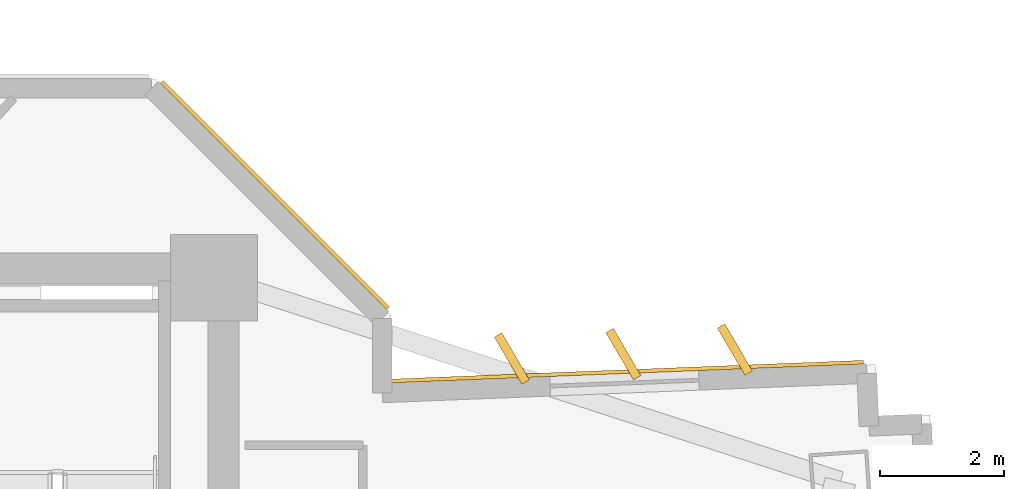
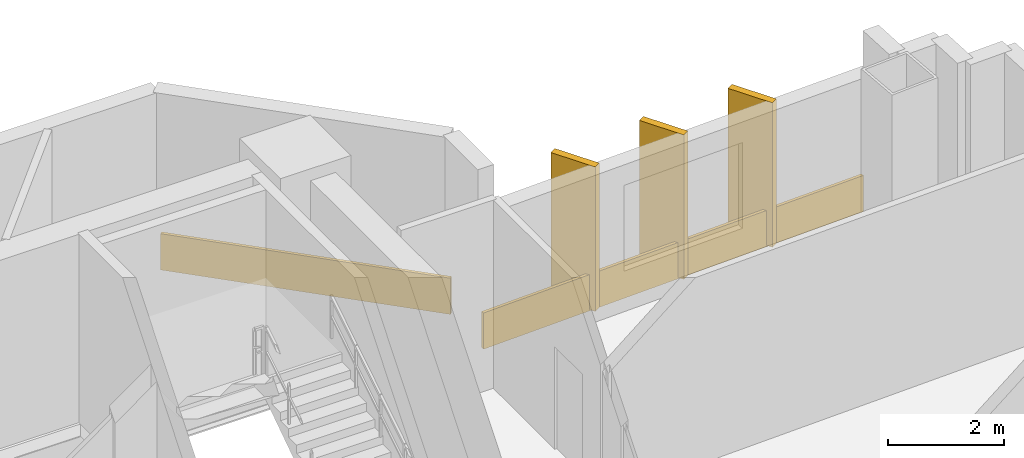
# One storey, part 16 of 16: 5 coverings.
"""IFC4 building model written with IfcOpenShell, lengths in metres."""

from ifc_helpers import new_model, si_unit, direction, frame, origin, origin_2d, place, context, subcontext, project, spatial, rectangle, extrude, source, transform, mapped, material, layer, layer_set, type_object, element, save


model = new_model("IFC4")

# Units and contexts
model_context = context("Model", 3, precision=1e-05, world=origin(), true_north=direction((0.0, 1.0)))
body_context = subcontext(model_context, "Body", "Model", "MODEL_VIEW")
ifc_project = project(units=[si_unit("LENGTHUNIT", "METRE"), si_unit("AREAUNIT", "SQUARE_METRE"), si_unit("VOLUMEUNIT", "CUBIC_METRE"), si_unit("PLANEANGLEUNIT", "RADIAN"), si_unit("MASSUNIT", "GRAM", prefix="KILO")], contexts=[model_context])

# Site, building, storey
site_placement = place(None, origin())
site = spatial("IfcSite", under=ifc_project, at=site_placement, CompositionType="ELEMENT")
building_placement = place(site_placement, origin())
building = spatial("IfcBuilding", under=site, at=building_placement, Name="Zahravan Cultural Tower", CompositionType="ELEMENT")
storey_placement = place(building_placement, frame((0.0, 0.0, 62.699951171875)))
storey = spatial("IfcBuildingStorey", under=building, at=storey_placement, Name="L13", CompositionType="ELEMENT", Elevation=62.699951171875)

# Coverings
ifc_material = material(Name="Terracotta ceramic cladding", Category="masonry")
ifc_layer = layer(ifc_material, 0.06005859375)
ifc_layer_set = layer_set([ifc_layer], Name="Terracotta ceramic cladding")
covering_type = type_object("IfcCoveringType", Name="COV-CLAD-TC60", PredefinedType="CLADDING", material=ifc_layer_set)
shared_shape_1 = source(origin(), body_context, "Body", "SweptSolid", [
    extrude(rectangle(XDim=5.157958984375, YDim=0.06005859375, at=origin_2d()), origin(), (0.0, 0.0, 1.0), 0.760009765625),
])
covering_1_placement = place(storey_placement, frame((51.331787109375, 37.53173828125, 0.02001953125), z_axis=(0.0, 0.0, 1.0), x_axis=(0.707106781187, -0.707106781187, 0.0)))
element("IfcCovering", 1, at=covering_1_placement, inside=storey, type_object=covering_type, Name="L13 Terracotta Spandrel Cladding 53", PredefinedType="CLADDING", context=body_context, shape_type="MappedRepresentation", body=[
    mapped(shared_shape_1, transform((0.0, 0.0, 0.0), x_axis=(1.0, 0.0, 0.0), y_axis=(0.0, 1.0, 0.0), z_axis=(0.0, 0.0, 1.0), scale=1.0)),
])
shared_shape_2 = source(origin(), body_context, "Body", "SweptSolid", [
    extrude(rectangle(XDim=0.8798828125, YDim=0.139892578125, at=origin_2d()), origin(), (0.0, 0.0, 1.0), 3.030029296875),
])
for number, where, z_axis, x_axis, name in (
    (2, (55.150390625, 34.898193359375, 0.0498046875), (0.0, 0.0, 1.0), (-0.504226211181, 0.863571611366, 0.0), "L13 Herringbone Terracotta Fin 01"),
    (3, (56.948974609375, 34.9697265625, 0.0498046875), (0.0, 0.0, 1.0), (-0.504226211181, 0.863571611366, 0.0), "L13 Herringbone Terracotta Fin 02"),
    (4, (58.747314453125, 35.041259765625, 0.0498046875), (0.0, 0.0, 1.0), (-0.504226211181, 0.863571611366, 0.0), "L13 Herringbone Terracotta Fin 03"),
):
    element("IfcCovering", number, at=place(storey_placement, frame(where, z_axis=z_axis, x_axis=x_axis)), inside=storey, type_object=covering_type, Name=name, PredefinedType="CLADDING", context=body_context, shape_type="MappedRepresentation", body=[
        mapped(shared_shape_2, transform((0.0, 0.0, 0.0), x_axis=(1.0, 0.0, 0.0), y_axis=(0.0, 1.0, 0.0), z_axis=(0.0, 0.0, 1.0), scale=1.0)),
    ])
shared_shape_3 = source(origin(), body_context, "Body", "SweptSolid", [
    extrude(rectangle(XDim=7.72119140625, YDim=0.06005859375, at=origin_2d()), origin(), (0.0, 0.0, 1.0), 0.760009765625),
])
covering_2_placement = place(storey_placement, frame((56.960205078125, 34.684814453125, 0.02001953125), z_axis=(0.0, 0.0, 1.0), x_axis=(0.999208342878, 0.039783005453, 0.0)))
element("IfcCovering", 5, at=covering_2_placement, inside=storey, type_object=covering_type, Name="L13 Terracotta Spandrel Cladding 01", PredefinedType="CLADDING", context=body_context, shape_type="MappedRepresentation", body=[
    mapped(shared_shape_3, transform((0.0, 0.0, 0.0), x_axis=(1.0, 0.0, 0.0), y_axis=(0.0, 1.0, 0.0), z_axis=(0.0, 0.0, 1.0), scale=1.0)),
])

save(model, "model.ifc")
